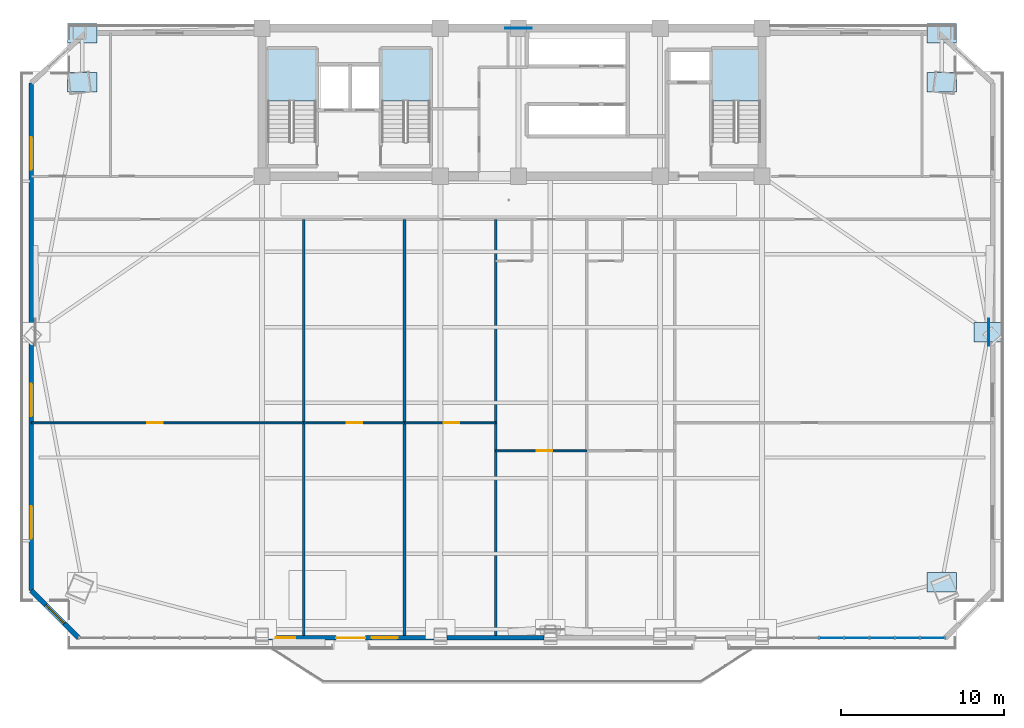
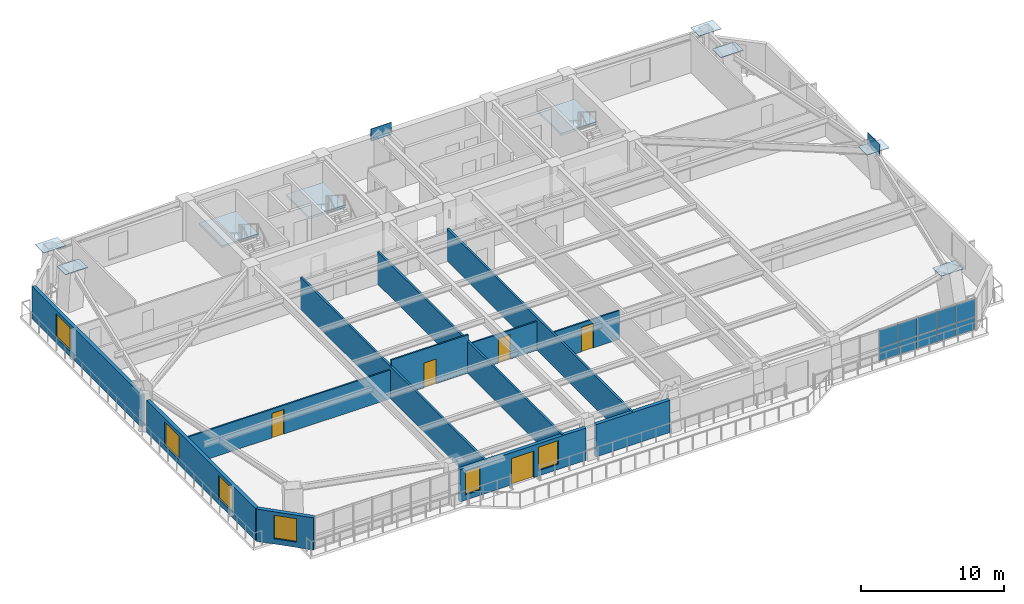
# One storey, part 7 of 16: 18 plates, 12 walls, 6 windows, 5 doors, 3 slabs, 11 openings, 4 elements without a shape of their own.
"""IFC4 building model written with IfcOpenShell, lengths in metres."""

from ifc_helpers import new_model, si_unit, direction, frame, frame_2d, origin, origin_2d, place, context, subcontext, project, spatial, polyline, rectangle, outline, extrude, source, transform, mapped, material, layer, layer_set, type_object, element, fill, aggregate, save


model = new_model("IFC4")

# Units and contexts
model_context = context("Model", 3, precision=1e-05, world=origin(), true_north=direction((0.0, 1.0)))
body_context = subcontext(model_context, "Body", "Model", "MODEL_VIEW")
ifc_project = project(units=[si_unit("LENGTHUNIT", "METRE"), si_unit("AREAUNIT", "SQUARE_METRE"), si_unit("VOLUMEUNIT", "CUBIC_METRE"), si_unit("PLANEANGLEUNIT", "RADIAN"), si_unit("MASSUNIT", "GRAM", prefix="KILO")], contexts=[model_context])

# Site, building, storey
site_placement = place(None, origin())
site = spatial("IfcSite", under=ifc_project, at=site_placement, CompositionType="ELEMENT")
building_placement = place(site_placement, origin())
building = spatial("IfcBuilding", under=site, at=building_placement, Name="Giltprow Tower", CompositionType="ELEMENT")
storey_placement = place(building_placement, frame((0.0, 0.0, 166.699951171875)))
storey = spatial("IfcBuildingStorey", under=building, at=storey_placement, Name="L41", CompositionType="ELEMENT", Elevation=166.699951171875)

# Stair, slab
ifc_material_1 = material(Name="Concrete C40", Category="concrete")
stair_type_1 = type_object("IfcStairType", Name="STR-ST-1", PredefinedType="HALF_TURN_STAIR", material=ifc_material_1)
stair_1_placement = place(storey_placement, origin())
stair_1 = element("IfcStair", 1, at=stair_1_placement, inside=storey, type_object=stair_type_1, Name="L41 Core Exit Stair ST-1", PredefinedType="HALF_TURN_STAIR")
ifc_layer_1 = layer(ifc_material_1, 0.179931640625, Name="Concrete C40")
ifc_layer_set_1 = layer_set([ifc_layer_1], Name="Concrete C40")
slab_type_1 = type_object("IfcSlabType", Name="SLD-ST-1", PredefinedType="LANDING", material=ifc_layer_set_1)
slab_1_placement = place(storey_placement, frame((0.0, 0.0, 1.570068359375)))
slab_1 = element("IfcSlab", 2, at=slab_1_placement, type_object=slab_type_1, Name="ST-1 landing 1", PredefinedType="LANDING", context=body_context, shape_type="SweptSolid", body=[
    extrude(outline(polyline([(23.159912109375, 42.070068359375), (23.159912109375, 45.25), (20.199951171875, 45.25), (20.199951171875, 42.070068359375), (23.159912109375, 42.070068359375)])), origin(), (0.0, 0.0, 1.0), 0.179931640625),
])
aggregate(stair_1, [slab_1])

stair_type_2 = type_object("IfcStairType", Name="STR-ST-2", PredefinedType="HALF_TURN_STAIR", material=ifc_material_1)
stair_2_placement = place(storey_placement, origin())
stair_2 = element("IfcStair", 3, at=stair_2_placement, inside=storey, type_object=stair_type_2, Name="L41 Core Exit Stair ST-2", PredefinedType="HALF_TURN_STAIR")
ifc_layer_2 = layer(ifc_material_1, 0.18798828125, Name="Concrete C40")
ifc_layer_set_2 = layer_set([ifc_layer_2], Name="Concrete C40")
slab_type_2 = type_object("IfcSlabType", Name="SLD-ST-2", PredefinedType="LANDING", material=ifc_layer_set_2)
slab_2_placement = place(storey_placement, frame((0.0, 0.0, 1.56201171875)))
slab_2 = element("IfcSlab", 4, at=slab_2_placement, type_object=slab_type_2, Name="ST-2 landing 1", PredefinedType="LANDING", context=body_context, shape_type="SweptSolid", body=[
    extrude(outline(polyline([(30.159912109375, 42.070068359375), (30.159912109375, 45.25), (27.199951171875, 45.25), (27.199951171875, 42.070068359375), (30.159912109375, 42.070068359375)])), origin(), (0.0, 0.0, 1.0), 0.18798828125),
])
aggregate(stair_2, [slab_2])

stair_type_3 = type_object("IfcStairType", Name="STR-ST-3", PredefinedType="HALF_TURN_STAIR", material=ifc_material_1)
stair_3_placement = place(storey_placement, origin())
stair_3 = element("IfcStair", 5, at=stair_3_placement, inside=storey, type_object=stair_type_3, Name="L41 Core Exit Stair ST-3", PredefinedType="HALF_TURN_STAIR")
ifc_layer_3 = layer(ifc_material_1, 0.196044921875, Name="Concrete C40")
ifc_layer_set_3 = layer_set([ifc_layer_3], Name="Concrete C40")
slab_type_3 = type_object("IfcSlabType", Name="SLD-ST-3", PredefinedType="LANDING", material=ifc_layer_set_3)
slab_3_placement = place(storey_placement, frame((0.0, 0.0, 1.553955078125)))
slab_3 = element("IfcSlab", 6, at=slab_3_placement, type_object=slab_type_3, Name="ST-3 landing 1", PredefinedType="LANDING", context=body_context, shape_type="SweptSolid", body=[
    extrude(outline(polyline([(50.4599609375, 42.070068359375), (50.4599609375, 45.25), (47.5, 45.25), (47.5, 42.070068359375), (50.4599609375, 42.070068359375)])), origin(), (0.0, 0.0, 1.0), 0.196044921875),
])
aggregate(stair_3, [slab_3])

# Plates
ifc_material_2 = material(Name="Structural steel Q420GJC", Category="steel")
plate_type_1 = type_object("IfcPlateType", Name="PLT-NODE-CKN1", PredefinedType="USERDEFINED", material=ifc_material_2)
shared_shape_1 = source(origin(), body_context, "Body", "SweptSolid", [
    extrude(rectangle(XDim=1.800048828125, YDim=1.199951171875, at=origin_2d()), origin(), (0.0, 0.0, 1.0), 0.044921875),
])
for number, where, z_axis, x_axis, name in (
    (7, (61.593994140625, 12.512939453125, 3.2275390625), (0.0, 0.0, 1.0), (1.0, 0.0, 0.0), "CKN1 Column Taper Splice Node L41-MC_SE"),
    (8, (8.805908203125, 43.212890625, 3.2275390625), (0.0, 0.0, 1.0), (1.0, 0.0, 0.0), "CKN1 Column Taper Splice Node L41-MC_NW"),
    (9, (61.593994140625, 43.212890625, 3.2275390625), (0.0, 0.0, 1.0), (1.0, 0.0, 0.0), "CKN1 Column Taper Splice Node L41-MC_NE"),
    (10, (64.48095703125, 27.863037109375, 3.2275390625), (0.0, 0.0, 1.0), (1.0, 0.0, 0.0), "CKN1 Column Taper Splice Node L41-E_MID"),
    (11, (8.805908203125, 46.25, 3.2275390625), (0.0, 0.0, 1.0), (1.0, 0.0, 0.0), "CKN1 Column Taper Splice Node L41-N_W"),
    (12, (61.593994140625, 46.25, 3.2275390625), (0.0, 0.0, 1.0), (1.0, 0.0, 0.0), "CKN1 Column Taper Splice Node L41-N_E"),
):
    element("IfcPlate", number, at=place(storey_placement, frame(where, z_axis=z_axis, x_axis=x_axis)), inside=storey, type_object=plate_type_1, Name=name, ObjectType="SPLICE", PredefinedType="USERDEFINED", context=body_context, shape_type="MappedRepresentation", body=[
        mapped(shared_shape_1, transform((0.0, 0.0, 0.0), x_axis=(1.0, 0.0, 0.0), y_axis=(0.0, 1.0, 0.0), z_axis=(0.0, 0.0, 1.0), scale=1.0)),
    ])
plate_type_2 = type_object("IfcPlateType", Name="PLT-NODE-MBN2", PredefinedType="USERDEFINED", material=ifc_material_2)
shared_shape_2 = source(origin(), body_context, "Body", "SweptSolid", [
    extrude(rectangle(XDim=1.64990234375, YDim=0.044921875, at=origin_2d()), origin(), (0.0, 0.0, 1.0), 1.050048828125),
])
for number, where, z_axis, x_axis, name in (
    (13, (35.60009765625, 46.550048828125, 2.8349609375), (0.0, 0.0, 1.0), (1.0, 0.0, 0.0), "Mega-Brace Node L41-N-LB"),
    (14, (64.48095703125, 27.863037109375, 2.97509765625), (0.0, 0.0, 1.0), (0.0, 1.0, 0.0), "Mega-Brace Node L41-E-RB"),
):
    element("IfcPlate", number, at=place(storey_placement, frame(where, z_axis=z_axis, x_axis=x_axis)), inside=storey, type_object=plate_type_2, Name=name, ObjectType="GUSSET", PredefinedType="USERDEFINED", context=body_context, shape_type="MappedRepresentation", body=[
        mapped(shared_shape_2, transform((0.0, 0.0, 0.0), x_axis=(1.0, 0.0, 0.0), y_axis=(0.0, 1.0, 0.0), z_axis=(0.0, 0.0, 1.0), scale=1.0)),
    ])

# Curtain wall, plates
ifc_material_3 = material(Name="Anodized bronze", Category="metal")
ifc_layer_4 = layer(ifc_material_3, 0.179931640625, Name="Anodized bronze")
ifc_layer_set_4 = layer_set([ifc_layer_4], Name="Anodized bronze")
curtain_wall_type = type_object("IfcCurtainWallType", Name="CW-HTL-BRONZE", PredefinedType="NOTDEFINED", material=ifc_layer_set_4)
curtain_wall_placement = place(storey_placement, origin())
curtain_wall = element("IfcCurtainWall", 15, at=curtain_wall_placement, inside=storey, type_object=curtain_wall_type, Name="L41 South Recessed Curtain Wall 6", PredefinedType="NOTDEFINED")
ifc_material_4 = material(Name="Insulated glass", Category="glass")
plate_type_3 = type_object("IfcPlateType", Name="CW-PANEL-IGU-28", PredefinedType="CURTAIN_PANEL", material=ifc_material_4)
shared_shape_3 = source(origin(), body_context, "Body", "SweptSolid", [
    extrude(rectangle(XDim=1.52001953125, YDim=0.028076171875, at=origin_2d()), origin(), (0.0, 0.0, 1.0), 1.0869140625),
])
plate_1_placement = place(storey_placement, frame((54.825927734375, 9.097900390625, 0.0546875), z_axis=(0.0, 0.0, 1.0), x_axis=(1.0, 0.0, 0.0)))
plate_1 = element("IfcPlate", 16, at=plate_1_placement, type_object=plate_type_3, Name="L41 South Recessed Curtain Wall 6 Glazing Panel 3-1", PredefinedType="CURTAIN_PANEL", context=body_context, shape_type="MappedRepresentation", body=[
    mapped(shared_shape_3, transform((0.0, 0.0, 0.0), x_axis=(1.0, 0.0, 0.0), y_axis=(0.0, 1.0, 0.0), z_axis=(0.0, 0.0, 1.0), scale=1.0)),
])
plate_2_placement = place(storey_placement, frame((56.376953125, 9.097900390625, 0.0546875), z_axis=(0.0, 0.0, 1.0), x_axis=(1.0, 0.0, 0.0)))
plate_2 = element("IfcPlate", 17, at=plate_2_placement, type_object=plate_type_3, Name="L41 South Recessed Curtain Wall 6 Glazing Panel 4-1", PredefinedType="CURTAIN_PANEL", context=body_context, shape_type="MappedRepresentation", body=[
    mapped(shared_shape_3, transform((0.0, 0.0, 0.0), x_axis=(1.0, 0.0, 0.0), y_axis=(0.0, 1.0, 0.0), z_axis=(0.0, 0.0, 1.0), scale=1.0)),
])
plate_3_placement = place(storey_placement, frame((57.927001953125, 9.097900390625, 0.0546875), z_axis=(0.0, 0.0, 1.0), x_axis=(1.0, 0.0, 0.0)))
plate_3 = element("IfcPlate", 18, at=plate_3_placement, type_object=plate_type_3, Name="L41 South Recessed Curtain Wall 6 Glazing Panel 5-1", PredefinedType="CURTAIN_PANEL", context=body_context, shape_type="MappedRepresentation", body=[
    mapped(shared_shape_3, transform((0.0, 0.0, 0.0), x_axis=(1.0, 0.0, 0.0), y_axis=(0.0, 1.0, 0.0), z_axis=(0.0, 0.0, 1.0), scale=1.0)),
])
plate_4_placement = place(storey_placement, frame((59.47705078125, 9.097900390625, 0.0546875), z_axis=(0.0, 0.0, 1.0), x_axis=(1.0, 0.0, 0.0)))
plate_4 = element("IfcPlate", 19, at=plate_4_placement, type_object=plate_type_3, Name="L41 South Recessed Curtain Wall 6 Glazing Panel 6-1", PredefinedType="CURTAIN_PANEL", context=body_context, shape_type="MappedRepresentation", body=[
    mapped(shared_shape_3, transform((0.0, 0.0, 0.0), x_axis=(1.0, 0.0, 0.0), y_axis=(0.0, 1.0, 0.0), z_axis=(0.0, 0.0, 1.0), scale=1.0)),
])
plate_5_placement = place(storey_placement, frame((61.028076171875, 9.097900390625, 0.0546875), z_axis=(0.0, 0.0, 1.0), x_axis=(1.0, 0.0, 0.0)))
plate_5 = element("IfcPlate", 20, at=plate_5_placement, type_object=plate_type_3, Name="L41 South Recessed Curtain Wall 6 Glazing Panel 7-1", PredefinedType="CURTAIN_PANEL", context=body_context, shape_type="MappedRepresentation", body=[
    mapped(shared_shape_3, transform((0.0, 0.0, 0.0), x_axis=(1.0, 0.0, 0.0), y_axis=(0.0, 1.0, 0.0), z_axis=(0.0, 0.0, 1.0), scale=1.0)),
])
shared_shape_4 = source(origin(), body_context, "Body", "SweptSolid", [
    extrude(rectangle(XDim=1.52001953125, YDim=0.028076171875, at=origin_2d()), origin(), (0.0, 0.0, 1.0), 1.527099609375),
])
plate_6_placement = place(storey_placement, frame((54.825927734375, 9.097900390625, 1.16845703125), z_axis=(0.0, 0.0, 1.0), x_axis=(1.0, 0.0, 0.0)))
plate_6 = element("IfcPlate", 21, at=plate_6_placement, type_object=plate_type_3, Name="L41 South Recessed Curtain Wall 6 Glazing Panel 3-2", PredefinedType="CURTAIN_PANEL", context=body_context, shape_type="MappedRepresentation", body=[
    mapped(shared_shape_4, transform((0.0, 0.0, 0.0), x_axis=(1.0, 0.0, 0.0), y_axis=(0.0, 1.0, 0.0), z_axis=(0.0, 0.0, 1.0), scale=1.0)),
])
plate_7_placement = place(storey_placement, frame((56.376953125, 9.097900390625, 1.16845703125), z_axis=(0.0, 0.0, 1.0), x_axis=(1.0, 0.0, 0.0)))
plate_7 = element("IfcPlate", 22, at=plate_7_placement, type_object=plate_type_3, Name="L41 South Recessed Curtain Wall 6 Glazing Panel 4-2", PredefinedType="CURTAIN_PANEL", context=body_context, shape_type="MappedRepresentation", body=[
    mapped(shared_shape_4, transform((0.0, 0.0, 0.0), x_axis=(1.0, 0.0, 0.0), y_axis=(0.0, 1.0, 0.0), z_axis=(0.0, 0.0, 1.0), scale=1.0)),
])
plate_8_placement = place(storey_placement, frame((57.927001953125, 9.097900390625, 1.16845703125), z_axis=(0.0, 0.0, 1.0), x_axis=(1.0, 0.0, 0.0)))
plate_8 = element("IfcPlate", 23, at=plate_8_placement, type_object=plate_type_3, Name="L41 South Recessed Curtain Wall 6 Glazing Panel 5-2", PredefinedType="CURTAIN_PANEL", context=body_context, shape_type="MappedRepresentation", body=[
    mapped(shared_shape_4, transform((0.0, 0.0, 0.0), x_axis=(1.0, 0.0, 0.0), y_axis=(0.0, 1.0, 0.0), z_axis=(0.0, 0.0, 1.0), scale=1.0)),
])
plate_9_placement = place(storey_placement, frame((59.47705078125, 9.097900390625, 1.16845703125), z_axis=(0.0, 0.0, 1.0), x_axis=(1.0, 0.0, 0.0)))
plate_9 = element("IfcPlate", 24, at=plate_9_placement, type_object=plate_type_3, Name="L41 South Recessed Curtain Wall 6 Glazing Panel 6-2", PredefinedType="CURTAIN_PANEL", context=body_context, shape_type="MappedRepresentation", body=[
    mapped(shared_shape_4, transform((0.0, 0.0, 0.0), x_axis=(1.0, 0.0, 0.0), y_axis=(0.0, 1.0, 0.0), z_axis=(0.0, 0.0, 1.0), scale=1.0)),
])
plate_10_placement = place(storey_placement, frame((61.028076171875, 9.097900390625, 1.16845703125), z_axis=(0.0, 0.0, 1.0), x_axis=(1.0, 0.0, 0.0)))
plate_10 = element("IfcPlate", 25, at=plate_10_placement, type_object=plate_type_3, Name="L41 South Recessed Curtain Wall 6 Glazing Panel 7-2", PredefinedType="CURTAIN_PANEL", context=body_context, shape_type="MappedRepresentation", body=[
    mapped(shared_shape_4, transform((0.0, 0.0, 0.0), x_axis=(1.0, 0.0, 0.0), y_axis=(0.0, 1.0, 0.0), z_axis=(0.0, 0.0, 1.0), scale=1.0)),
])
aggregate(curtain_wall, [plate_1, plate_6, plate_2, plate_7, plate_3, plate_8, plate_4, plate_9, plate_5, plate_10])

# Wall, opening, window
ifc_material_5 = material(Name="Precast concrete C40", Category="concrete")
ifc_layer_5 = layer(ifc_material_5, 0.300048828125, Name="Precast concrete C40")
ifc_layer_set_5 = layer_set([ifc_layer_5], Name="Precast concrete C40")
wall_type_1 = type_object("IfcWallType", Name="EW-NOTCH-CHAMFER-300", PredefinedType="SOLIDWALL", material=ifc_layer_set_5)
wall_1_placement = place(storey_placement, frame((5.68408203125, 12.010986328125, 0.0), z_axis=(0.0, 0.0, 1.0), x_axis=(0.707077148634, -0.707136412497, 0.0)))
wall_1 = element("IfcWall", 26, at=wall_1_placement, inside=storey, type_object=wall_type_1, Name="L41 Corner Notch Wall SW", PredefinedType="SOLIDWALL", context=body_context, shape_type="SweptSolid", body=[
    extrude(rectangle(XDim=4.11962890625, YDim=0.300048828125, at=frame_2d((2.059814453125, 0.0))), origin(), (0.0, 0.0, 1.0), 2.75),
])
opening_1_placement = place(wall_1_placement, frame((1.260009765625, 0.0, 0.449951171875)))
opening_1 = element("IfcOpeningElement", 27, at=opening_1_placement, cuts=wall_1, Name="Opening WN17", PredefinedType="OPENING", context=body_context, shape_type="SweptSolid", body=[
    extrude(rectangle(XDim=1.60009765625, YDim=2.0, at=frame_2d((0.800048828125, 1.0))), frame((0.0, 0.159912109375, 0.0), z_axis=(0.0, -1.0, 0.0), x_axis=(1.0, 0.0, 0.0)), (0.0, 0.0, 1.0), 0.320068359375),
])
window_type_1 = type_object("IfcWindowType", Name="WN-COR-1600x2000", PartitioningType="SINGLE_PANEL", PredefinedType="WINDOW", material=ifc_material_4)
shared_shape_5 = source(origin(), body_context, "Body", "SweptSolid", [
    extrude(rectangle(XDim=1.60009765625, YDim=2.0, at=frame_2d((0.800048828125, 1.0))), frame((0.0, 0.030029296875, 0.0), z_axis=(0.0, -1.0, 0.0), x_axis=(1.0, 0.0, 0.0)), (0.0, 0.0, 1.0), 0.06005859375),
])
window_1_placement = place(opening_1_placement, origin())
window_1 = element("IfcWindow", 28, at=window_1_placement, inside=storey, type_object=window_type_1, Name="L41 Corner Notch Window SW", OverallHeight=2.0, OverallWidth=1.60009765625, PartitioningType="SINGLE_PANEL", PredefinedType="WINDOW", context=body_context, shape_type="MappedRepresentation", body=[
    mapped(shared_shape_5, transform((0.0, 0.0, 0.0), x_axis=(1.0, 0.0, 0.0), y_axis=(0.0, 1.0, 0.0), z_axis=(0.0, 0.0, 1.0), scale=1.0)),
])
fill(opening_1, window_1)

# Wall, openings, windows, door
ifc_layer_6 = layer(ifc_material_5, 0.280029296875, Name="Precast concrete C40")
ifc_layer_set_6 = layer_set([ifc_layer_6], Name="Precast concrete C40")
wall_type_2 = type_object("IfcWallType", Name="EW-TOW-BRONZE-280", PredefinedType="SOLIDWALL", material=ifc_layer_set_6)
wall_2_placement = place(storey_placement, frame((20.25, 9.097900390625, 0.0), z_axis=(0.0, 0.0, 1.0), x_axis=(1.0, 0.0, 0.0)))
wall_2 = element("IfcWall", 29, at=wall_2_placement, inside=storey, type_object=wall_type_2, Name="L41 South Expressed Frame Wall 2", PredefinedType="SOLIDWALL", context=body_context, shape_type="SweptSolid", body=[
    extrude(rectangle(XDim=10.14990234375, YDim=0.280029296875, at=frame_2d((5.074951171875, 0.0))), origin(), (0.0, 0.0, 1.0), 2.75),
])
opening_2_placement = place(wall_2_placement, frame((4.14990234375, 0.0, 0.0)))
opening_2 = element("IfcOpeningElement", 30, at=opening_2_placement, cuts=wall_2, Name="Opening ED25", PredefinedType="OPENING", context=body_context, shape_type="SweptSolid", body=[
    extrude(rectangle(XDim=1.800048828125, YDim=2.25, at=frame_2d((0.89990234375, 1.125))), frame((0.0, 0.14990234375, 0.0), z_axis=(0.0, -1.0, 0.0), x_axis=(1.0, 0.0, 0.0)), (0.0, 0.0, 1.0), 0.300048828125),
])
opening_3_placement = place(wall_2_placement, frame((0.429931640625, 0.0, 0.449951171875)))
opening_3 = element("IfcOpeningElement", 31, at=opening_3_placement, cuts=wall_2, Name="Opening WN11", PredefinedType="OPENING", context=body_context, shape_type="SweptSolid", body=[
    extrude(rectangle(XDim=1.199951171875, YDim=2.0, at=frame_2d((0.60009765625, 1.0))), frame((0.0, 0.14990234375, 0.0), z_axis=(0.0, -1.0, 0.0), x_axis=(1.0, 0.0, 0.0)), (0.0, 0.0, 1.0), 0.300048828125),
])
opening_4_placement = place(wall_2_placement, frame((6.330078125, 0.0, 0.449951171875)))
opening_4 = element("IfcOpeningElement", 32, at=opening_4_placement, cuts=wall_2, Name="Opening WN17", PredefinedType="OPENING", context=body_context, shape_type="SweptSolid", body=[
    extrude(rectangle(XDim=1.60009765625, YDim=2.0, at=frame_2d((0.800048828125, 1.0))), frame((0.0, 0.14990234375, 0.0), z_axis=(0.0, -1.0, 0.0), x_axis=(1.0, 0.0, 0.0)), (0.0, 0.0, 1.0), 0.300048828125),
])
window_2_placement = place(opening_4_placement, origin())
window_2 = element("IfcWindow", 33, at=window_2_placement, inside=storey, type_object=window_type_1, Name="L41 South Window 2B", OverallHeight=2.0, OverallWidth=1.60009765625, PartitioningType="SINGLE_PANEL", PredefinedType="WINDOW", context=body_context, shape_type="MappedRepresentation", body=[
    mapped(shared_shape_5, transform((0.0, 0.0, 0.0), x_axis=(1.0, 0.0, 0.0), y_axis=(0.0, 1.0, 0.0), z_axis=(0.0, 0.0, 1.0), scale=1.0)),
])
fill(opening_4, window_2)
ifc_material_6 = material(Name="Anodized bronze and glass", Category="glass")
door_type_1 = type_object("IfcDoorType", Name="DR-BALC-SLIDE-1800", OperationType="SLIDING_TO_LEFT", PredefinedType="DOOR", material=ifc_material_6)
shared_shape_6 = source(origin(), body_context, "Body", "SweptSolid", [
    extrude(rectangle(XDim=1.800048828125, YDim=2.25, at=frame_2d((0.89990234375, 1.125))), frame((0.0, 0.02490234375, 0.0), z_axis=(0.0, -1.0, 0.0), x_axis=(1.0, 0.0, 0.0)), (0.0, 0.0, 1.0), 0.050048828125),
])
door_1_placement = place(opening_2_placement, origin())
door_1 = element("IfcDoor", 34, at=door_1_placement, inside=storey, type_object=door_type_1, Name="L41 Waterfront Balcony Sliding Door 1", OperationType="SLIDING_TO_LEFT", OverallHeight=2.25, OverallWidth=1.800048828125, PredefinedType="DOOR", context=body_context, shape_type="MappedRepresentation", body=[
    mapped(shared_shape_6, transform((0.0, 0.0, 0.0), x_axis=(1.0, 0.0, 0.0), y_axis=(0.0, 1.0, 0.0), z_axis=(0.0, 0.0, 1.0), scale=1.0)),
])
fill(opening_2, door_1)
window_type_2 = type_object("IfcWindowType", Name="WN-LANCET-1200x2000", PartitioningType="SINGLE_PANEL", PredefinedType="WINDOW", material=ifc_material_4)
shared_shape_7 = source(origin(), body_context, "Body", "SweptSolid", [
    extrude(rectangle(XDim=1.199951171875, YDim=2.0, at=frame_2d((0.60009765625, 1.0))), frame((0.0, 0.030029296875, 0.0), z_axis=(0.0, -1.0, 0.0), x_axis=(1.0, 0.0, 0.0)), (0.0, 0.0, 1.0), 0.06005859375),
])
window_3_placement = place(opening_3_placement, origin())
window_3 = element("IfcWindow", 35, at=window_3_placement, inside=storey, type_object=window_type_2, Name="L41 South Window 2A", OverallHeight=2.0, OverallWidth=1.199951171875, PartitioningType="SINGLE_PANEL", PredefinedType="WINDOW", context=body_context, shape_type="MappedRepresentation", body=[
    mapped(shared_shape_7, transform((0.0, 0.0, 0.0), x_axis=(1.0, 0.0, 0.0), y_axis=(0.0, 1.0, 0.0), z_axis=(0.0, 0.0, 1.0), scale=1.0)),
])
fill(opening_3, window_3)

# Wall
wall_3_placement = place(storey_placement, frame((31.199951171875, 9.097900390625, 0.0), z_axis=(0.0, 0.0, 1.0), x_axis=(1.0, 0.0, 0.0)))
element("IfcWall", 36, at=wall_3_placement, inside=storey, type_object=wall_type_2, Name="L41 South Expressed Frame Wall 3", PredefinedType="SOLIDWALL", context=body_context, shape_type="SweptSolid", body=[
    extrude(rectangle(XDim=5.949951171875, YDim=0.280029296875, at=frame_2d((2.97509765625, 0.0))), origin(), (0.0, 0.0, 1.0), 2.75),
])

# Wall, openings, windows
wall_4_placement = place(storey_placement, frame((5.68408203125, 12.010986328125, 0.0), z_axis=(0.0, 0.0, 1.0), x_axis=(0.0, 1.0, 0.0)))
wall_4 = element("IfcWall", 37, at=wall_4_placement, inside=storey, type_object=wall_type_2, Name="L41 W Wing Masonry Wall 1", PredefinedType="SOLIDWALL", context=body_context, shape_type="SweptSolid", body=[
    extrude(rectangle(XDim=15.18798828125, YDim=0.280029296875, at=frame_2d((7.593994140625, 0.0))), origin(), (0.0, 0.0, 1.0), 2.75),
])
opening_5_placement = place(wall_4_placement, frame((3.18896484375, 0.0, 0.449951171875)))
opening_5 = element("IfcOpeningElement", 38, at=opening_5_placement, cuts=wall_4, Name="Opening WN21", PredefinedType="OPENING", context=body_context, shape_type="SweptSolid", body=[
    extrude(rectangle(XDim=2.0, YDim=2.0, at=frame_2d((1.0, 1.0))), frame((0.0, 0.14990234375, 0.0), z_axis=(0.0, -1.0, 0.0), x_axis=(1.0, 0.0, 0.0)), (0.0, 0.0, 1.0), 0.300048828125),
])
opening_6_placement = place(wall_4_placement, frame((10.701904296875, 0.0, 0.449951171875)))
opening_6 = element("IfcOpeningElement", 39, at=opening_6_placement, cuts=wall_4, Name="Opening WN21", PredefinedType="OPENING", context=body_context, shape_type="SweptSolid", body=[
    extrude(rectangle(XDim=2.0, YDim=2.0, at=frame_2d((1.0, 1.0))), frame((0.0, 0.14990234375, 0.0), z_axis=(0.0, -1.0, 0.0), x_axis=(1.0, 0.0, 0.0)), (0.0, 0.0, 1.0), 0.300048828125),
])
window_type_3 = type_object("IfcWindowType", Name="WN-HTL-2000x2000", PartitioningType="DOUBLE_PANEL_VERTICAL", PredefinedType="WINDOW", material=ifc_material_4)
shared_shape_8 = source(origin(), body_context, "Body", "SweptSolid", [
    extrude(rectangle(XDim=2.0, YDim=2.0, at=frame_2d((1.0, 1.0))), frame((0.0, 0.030029296875, 0.0), z_axis=(0.0, -1.0, 0.0), x_axis=(1.0, 0.0, 0.0)), (0.0, 0.0, 1.0), 0.06005859375),
])
window_4_placement = place(opening_5_placement, origin())
window_4 = element("IfcWindow", 40, at=window_4_placement, inside=storey, type_object=window_type_3, Name="L41 W Wing Window 1-1A", OverallHeight=2.0, OverallWidth=2.0, PartitioningType="SINGLE_PANEL", PredefinedType="WINDOW", context=body_context, shape_type="MappedRepresentation", body=[
    mapped(shared_shape_8, transform((0.0, 0.0, 0.0), x_axis=(1.0, 0.0, 0.0), y_axis=(0.0, 1.0, 0.0), z_axis=(0.0, 0.0, 1.0), scale=1.0)),
])
fill(opening_5, window_4)
window_5_placement = place(opening_6_placement, origin())
window_5 = element("IfcWindow", 41, at=window_5_placement, inside=storey, type_object=window_type_3, Name="L41 W Wing Window 1-1B", OverallHeight=2.0, OverallWidth=2.0, PartitioningType="SINGLE_PANEL", PredefinedType="WINDOW", context=body_context, shape_type="MappedRepresentation", body=[
    mapped(shared_shape_8, transform((0.0, 0.0, 0.0), x_axis=(1.0, 0.0, 0.0), y_axis=(0.0, 1.0, 0.0), z_axis=(0.0, 0.0, 1.0), scale=1.0)),
])
fill(opening_6, window_5)

# Wall, opening, window
wall_5_placement = place(storey_placement, frame((5.68408203125, 27.9990234375, 0.0), z_axis=(0.0, 0.0, 1.0), x_axis=(0.0, 1.0, 0.0)))
wall_5 = element("IfcWall", 42, at=wall_5_placement, inside=storey, type_object=wall_type_2, Name="L41 W Wing Masonry Wall 2", PredefinedType="SOLIDWALL", context=body_context, shape_type="SweptSolid", body=[
    extrude(rectangle(XDim=15.18798828125, YDim=0.280029296875, at=frame_2d((7.593994140625, 0.0))), origin(), (0.0, 0.0, 1.0), 2.75),
])
opening_7_placement = place(wall_5_placement, frame((9.85595703125, 0.0, 0.449951171875)))
opening_7 = element("IfcOpeningElement", 43, at=opening_7_placement, cuts=wall_5, Name="Opening WN21", PredefinedType="OPENING", context=body_context, shape_type="SweptSolid", body=[
    extrude(rectangle(XDim=2.0, YDim=2.0, at=frame_2d((1.0, 1.0))), frame((0.0, 0.14990234375, 0.0), z_axis=(0.0, -1.0, 0.0), x_axis=(1.0, 0.0, 0.0)), (0.0, 0.0, 1.0), 0.300048828125),
])
window_6_placement = place(opening_7_placement, origin())
window_6 = element("IfcWindow", 44, at=window_6_placement, inside=storey, type_object=window_type_3, Name="L41 W Wing Window 2-1", OverallHeight=2.0, OverallWidth=2.0, PartitioningType="SINGLE_PANEL", PredefinedType="WINDOW", context=body_context, shape_type="MappedRepresentation", body=[
    mapped(shared_shape_8, transform((0.0, 0.0, 0.0), x_axis=(1.0, 0.0, 0.0), y_axis=(0.0, 1.0, 0.0), z_axis=(0.0, 0.0, 1.0), scale=1.0)),
])
fill(opening_7, window_6)

# Walls
ifc_material_7 = material(Name="Gypsum stud partition", Category="gypsum")
ifc_layer_7 = layer(ifc_material_7, 0.159912109375, Name="Gypsum stud partition")
ifc_layer_set_7 = layer_set([ifc_layer_7], Name="Gypsum stud partition")
wall_type_3 = type_object("IfcWallType", Name="IW-DEMISE-160", PredefinedType="PARTITIONING", material=ifc_layer_set_7)
for number, where, z_axis, x_axis, name in (
    (45, (22.39990234375, 9.097900390625, 0.0), (0.0, 0.0, 1.0), (0.0, 1.0, 0.0), "L41 Hotel Demising Wall 1"),
    (46, (28.60009765625, 9.097900390625, 0.0), (0.0, 0.0, 1.0), (0.0, 1.0, 0.0), "L41 Hotel Demising Wall 2"),
    (47, (34.199951171875, 9.097900390625, 0.0), (0.0, 0.0, 1.0), (0.0, 1.0, 0.0), "L41 Hotel Demising Wall 3"),
):
    element("IfcWall", number, at=place(storey_placement, frame(where, z_axis=z_axis, x_axis=x_axis)), inside=storey, type_object=wall_type_3, Name=name, PredefinedType="PARTITIONING", context=body_context, shape_type="SweptSolid", body=[
        extrude(rectangle(XDim=25.7021484375, YDim=0.159912109375, at=frame_2d((12.85107421875, 0.0))), origin(), (0.0, 0.0, 1.0), 2.755126953125),
    ])

# Wall, opening, door
ifc_layer_8 = layer(ifc_material_7, 0.1201171875, Name="Gypsum stud partition")
ifc_layer_set_8 = layer_set([ifc_layer_8], Name="Gypsum stud partition")
wall_type_4 = type_object("IfcWallType", Name="IW-ROOM-120", PredefinedType="PARTITIONING", material=ifc_layer_set_8)
wall_6_placement = place(storey_placement, frame((5.68408203125, 22.31298828125, 0.0), z_axis=(0.0, 0.0, 1.0), x_axis=(1.0, 0.0, 0.0)))
wall_6 = element("IfcWall", 48, at=wall_6_placement, inside=storey, type_object=wall_type_4, Name="L41 Amenity Mid Wall 1", PredefinedType="PARTITIONING", context=body_context, shape_type="SweptSolid", body=[
    extrude(rectangle(XDim=16.7158203125, YDim=0.1201171875, at=frame_2d((8.35791015625, 0.0))), origin(), (0.0, 0.0, 1.0), 2.455078125),
])
opening_8_placement = place(wall_6_placement, frame((7.113037109375, 0.0, 0.0)))
opening_8 = element("IfcOpeningElement", 49, at=opening_8_placement, cuts=wall_6, Name="Opening ID11", PredefinedType="OPENING", context=body_context, shape_type="SweptSolid", body=[
    extrude(rectangle(XDim=0.949951171875, YDim=2.10009765625, at=frame_2d((0.47509765625, 1.050048828125))), frame((0.0, 0.070068359375, 0.0), z_axis=(0.0, -1.0, 0.0), x_axis=(1.0, 0.0, 0.0)), (0.0, 0.0, 1.0), 0.14013671875),
])
ifc_material_8 = material(Name="Engineered timber", Category="wood")
door_type_2 = type_object("IfcDoorType", Name="DR-ROOM-950", OperationType="SINGLE_SWING_RIGHT", PredefinedType="DOOR", material=ifc_material_8)
shared_shape_9 = source(origin(), body_context, "Body", "SweptSolid", [
    extrude(rectangle(XDim=0.949951171875, YDim=2.10009765625, at=frame_2d((0.47509765625, 1.050048828125))), frame((0.0, 0.02490234375, 0.0), z_axis=(0.0, -1.0, 0.0), x_axis=(1.0, 0.0, 0.0)), (0.0, 0.0, 1.0), 0.050048828125),
])
door_2_placement = place(opening_8_placement, origin())
door_2 = element("IfcDoor", 50, at=door_2_placement, inside=storey, type_object=door_type_2, Name="L41 Hotel Gift Shop 1 Inner Door", OperationType="SINGLE_SWING_RIGHT", OverallHeight=2.10009765625, OverallWidth=0.949951171875, PredefinedType="DOOR", context=body_context, shape_type="MappedRepresentation", body=[
    mapped(shared_shape_9, transform((0.0, 0.0, 0.0), x_axis=(1.0, 0.0, 0.0), y_axis=(0.0, 1.0, 0.0), z_axis=(0.0, 0.0, 1.0), scale=1.0)),
])
fill(opening_8, door_2)

wall_7_placement = place(storey_placement, frame((22.39990234375, 22.31298828125, 0.0), z_axis=(0.0, 0.0, 1.0), x_axis=(1.0, 0.0, 0.0)))
wall_7 = element("IfcWall", 51, at=wall_7_placement, inside=storey, type_object=wall_type_4, Name="L41 Amenity Mid Wall 2", PredefinedType="PARTITIONING", context=body_context, shape_type="SweptSolid", body=[
    extrude(rectangle(XDim=6.2001953125, YDim=0.1201171875, at=frame_2d((3.10009765625, 0.0))), origin(), (0.0, 0.0, 1.0), 3.27001953125),
])
opening_9_placement = place(wall_7_placement, frame((2.64599609375, 0.0, 0.0)))
opening_9 = element("IfcOpeningElement", 52, at=opening_9_placement, cuts=wall_7, Name="Opening ID11", PredefinedType="OPENING", context=body_context, shape_type="SweptSolid", body=[
    extrude(rectangle(XDim=0.949951171875, YDim=2.10009765625, at=frame_2d((0.47509765625, 1.050048828125))), frame((0.0, 0.070068359375, 0.0), z_axis=(0.0, -1.0, 0.0), x_axis=(1.0, 0.0, 0.0)), (0.0, 0.0, 1.0), 0.14013671875),
])
door_3_placement = place(opening_9_placement, origin())
door_3 = element("IfcDoor", 53, at=door_3_placement, inside=storey, type_object=door_type_2, Name="L41 Luxury Watch Shop 2 Inner Door", OperationType="SINGLE_SWING_RIGHT", OverallHeight=2.10009765625, OverallWidth=0.949951171875, PredefinedType="DOOR", context=body_context, shape_type="MappedRepresentation", body=[
    mapped(shared_shape_9, transform((0.0, 0.0, 0.0), x_axis=(1.0, 0.0, 0.0), y_axis=(0.0, 1.0, 0.0), z_axis=(0.0, 0.0, 1.0), scale=1.0)),
])
fill(opening_9, door_3)

wall_8_placement = place(storey_placement, frame((28.60009765625, 22.31298828125, 0.0), z_axis=(0.0, 0.0, 1.0), x_axis=(1.0, 0.0, 0.0)))
wall_8 = element("IfcWall", 54, at=wall_8_placement, inside=storey, type_object=wall_type_4, Name="L41 Amenity Mid Wall 3", PredefinedType="PARTITIONING", context=body_context, shape_type="SweptSolid", body=[
    extrude(rectangle(XDim=5.599853515625, YDim=0.1201171875, at=frame_2d((2.7998046875, 0.0))), origin(), (0.0, 0.0, 1.0), 2.455078125),
])
opening_10_placement = place(wall_8_placement, frame((2.406005859375, 0.0, 0.0)))
opening_10 = element("IfcOpeningElement", 55, at=opening_10_placement, cuts=wall_8, Name="Opening ID11", PredefinedType="OPENING", context=body_context, shape_type="SweptSolid", body=[
    extrude(rectangle(XDim=0.949951171875, YDim=2.10009765625, at=frame_2d((0.47509765625, 1.050048828125))), frame((0.0, 0.070068359375, 0.0), z_axis=(0.0, -1.0, 0.0), x_axis=(1.0, 0.0, 0.0)), (0.0, 0.0, 1.0), 0.14013671875),
])
door_4_placement = place(opening_10_placement, origin())
door_4 = element("IfcDoor", 56, at=door_4_placement, inside=storey, type_object=door_type_2, Name="L41 Silk Tailor Shop 3 Inner Door", OperationType="SINGLE_SWING_RIGHT", OverallHeight=2.10009765625, OverallWidth=0.949951171875, PredefinedType="DOOR", context=body_context, shape_type="MappedRepresentation", body=[
    mapped(shared_shape_9, transform((0.0, 0.0, 0.0), x_axis=(1.0, 0.0, 0.0), y_axis=(0.0, 1.0, 0.0), z_axis=(0.0, 0.0, 1.0), scale=1.0)),
])
fill(opening_10, door_4)

wall_9_placement = place(storey_placement, frame((34.199951171875, 20.590087890625, 0.0), z_axis=(0.0, 0.0, 1.0), x_axis=(1.0, 0.0, 0.0)))
wall_9 = element("IfcWall", 57, at=wall_9_placement, inside=storey, type_object=wall_type_4, Name="L41 Suite Parlour Divider 4", PredefinedType="PARTITIONING", context=body_context, shape_type="SweptSolid", body=[
    extrude(rectangle(XDim=5.60009765625, YDim=0.1201171875, at=frame_2d((2.800048828125, 0.0))), origin(), (0.0, 0.0, 1.0), 2.455078125),
])
opening_11_placement = place(wall_9_placement, frame((2.52490234375, 0.0, 0.0)))
opening_11 = element("IfcOpeningElement", 58, at=opening_11_placement, cuts=wall_9, Name="Opening ID11", PredefinedType="OPENING", context=body_context, shape_type="SweptSolid", body=[
    extrude(rectangle(XDim=0.949951171875, YDim=2.10009765625, at=frame_2d((0.47509765625, 1.050048828125))), frame((0.0, 0.070068359375, 0.0), z_axis=(0.0, -1.0, 0.0), x_axis=(1.0, 0.0, 0.0)), (0.0, 0.0, 1.0), 0.14013671875),
])
door_5_placement = place(opening_11_placement, origin())
door_5 = element("IfcDoor", 59, at=door_5_placement, inside=storey, type_object=door_type_2, Name="L41 Harbour Parlour 4 Door", OperationType="SINGLE_SWING_LEFT", OverallHeight=2.10009765625, OverallWidth=0.949951171875, PredefinedType="DOOR", context=body_context, shape_type="MappedRepresentation", body=[
    mapped(shared_shape_9, transform((0.0, 0.0, 0.0), x_axis=(1.0, 0.0, 0.0), y_axis=(0.0, 1.0, 0.0), z_axis=(0.0, 0.0, 1.0), scale=1.0)),
])
fill(opening_11, door_5)

save(model, "model.ifc")
